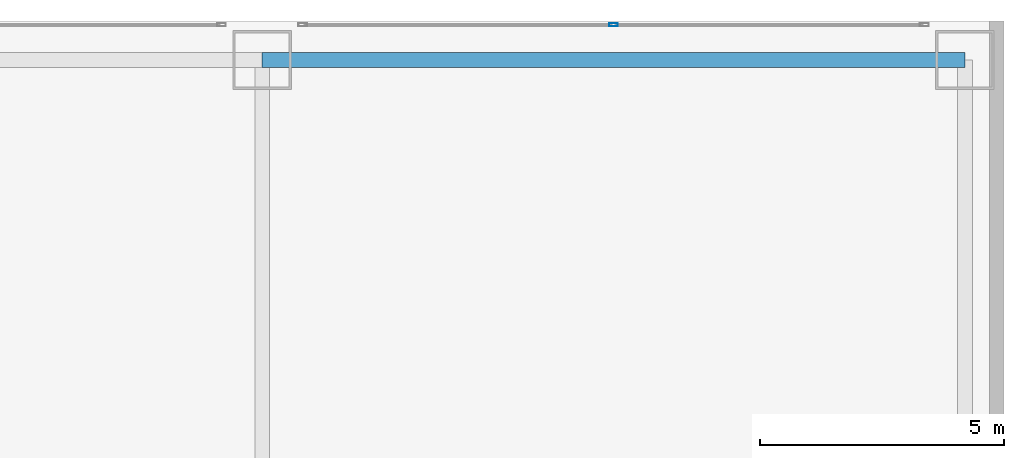
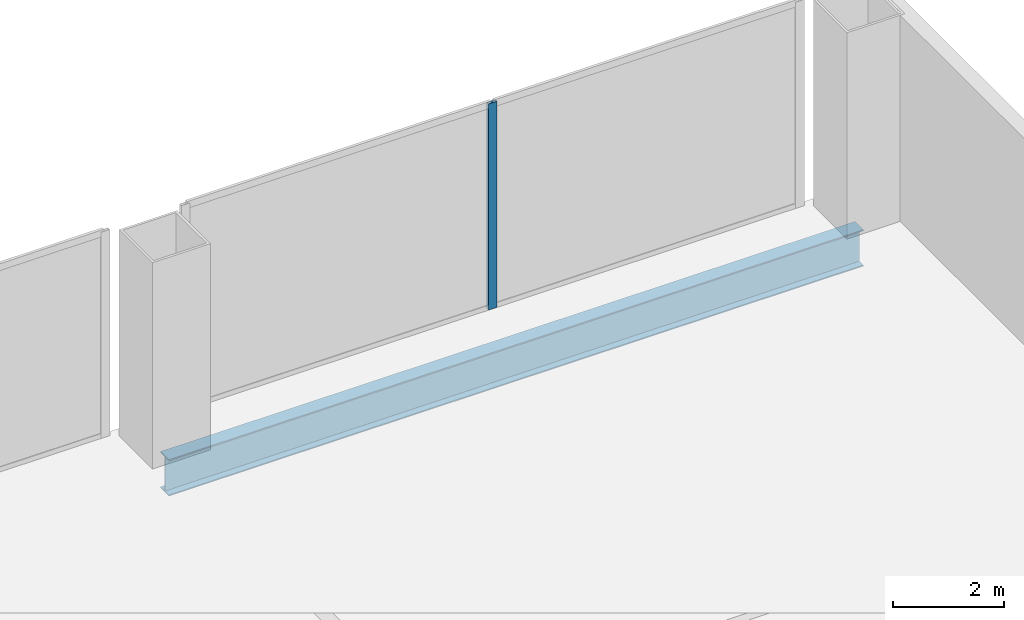
# One storey, part 29 of 40: 1 beam, 1 member, 1 element without a shape of its own.
"""IFC4 building model written with IfcOpenShell, lengths in metres."""

import ifcopenshell
import ifcopenshell.guid

model = None  # the IFC model being written
_history = None  # IfcOwnerHistory: only IFC2X3 demands one
_inside = {}  # id of a spatial element -> (the spatial element, [elements in it])
_under = {}  # id of a project, library or spatial element -> (it, [spatial elements below it])
_declared = {}  # id of a project -> (the project, [libraries it declares])
_typed = {}  # id of a type object -> (the type object, [elements of that type])
_made_of = {}  # id of a material, layer set ... -> (it, [elements and type objects made of it])


def new_model(schema):
    """Start an empty IFC model of exactly this schema.

    Asked for "IFC4X3", IfcOpenShell would pick the latest addendum, in which some entities
    have other attributes; the version numbers below select the first issue.
    IFC2X3 requires an IfcOwnerHistory on every rooted entity: one is made here for all.
    """
    global model, _history
    if schema == "IFC4X3":
        model = ifcopenshell.file(schema_version=(4, 3, 0, 0))
    else:
        model = ifcopenshell.file(schema=schema)
    _inside.clear()
    _under.clear()
    _declared.clear()
    _typed.clear()
    _made_of.clear()
    _history = None
    if model.schema == "IFC2X3":
        org = make("IfcOrganization", Name="unknown")
        user = make(
            "IfcPersonAndOrganization",
            ThePerson=make("IfcPerson", FamilyName="unknown"),
            TheOrganization=org,
        )
        app = make(
            "IfcApplication",
            ApplicationDeveloper=org,
            Version="unknown",
            ApplicationFullName="unknown",
            ApplicationIdentifier="unknown",
        )
        _history = make(
            "IfcOwnerHistory",
            OwningUser=user,
            OwningApplication=app,
            ChangeAction="ADDED",
            CreationDate=0,
        )
    return model


def make(cls, **values):
    """One entity of the class cls with the attributes given. An attribute that is None is left unset."""
    return model.create_entity(
        cls, **{name: value for name, value in values.items() if value is not None}
    )


def rooted(cls, **values):
    """An entity with a GlobalId (a new one), such as an element, a storey or a relation."""
    return make(cls, GlobalId=ifcopenshell.guid.new(), OwnerHistory=_history, **values)


def si_unit(unit_type, name, prefix=None):
    """IfcSIUnit, for example si_unit("LENGTHUNIT", "METRE", prefix="MILLI")."""
    return make("IfcSIUnit", UnitType=unit_type, Prefix=prefix, Name=name)


def assignment(units):
    """IfcUnitAssignment: the units of a project."""
    return None if units is None else make("IfcUnitAssignment", Units=units)


def point(xyz):
    """IfcCartesianPoint."""
    return None if xyz is None else make("IfcCartesianPoint", Coordinates=xyz)


def direction(xyz):
    """IfcDirection."""
    return None if xyz is None else make("IfcDirection", DirectionRatios=xyz)


def frame(location, z_axis=None, x_axis=None):
    """IfcAxis2Placement3D, a coordinate frame: its origin and axes. An axis left out is left unset."""
    return make(
        "IfcAxis2Placement3D",
        Location=point(location),
        Axis=direction(z_axis),
        RefDirection=direction(x_axis),
    )


def frame_2d(location, x_axis=None):
    """IfcAxis2Placement2D, a coordinate frame in the plane: its origin and x axis."""
    return make(
        "IfcAxis2Placement2D", Location=point(location), RefDirection=direction(x_axis)
    )


def origin():
    """The frame at (0, 0, 0) with its axes left unset."""
    return frame((0.0, 0.0, 0.0))


def origin_2d():
    """The frame at (0, 0) in the plane with its x axis left unset."""
    return frame_2d((0.0, 0.0))


def place(relative_to, where):
    """IfcLocalPlacement: puts the frame where relative to a parent placement (None: the world)."""
    return make(
        "IfcLocalPlacement", PlacementRelTo=relative_to, RelativePlacement=where
    )


def context(
    kind, dimensions, precision=None, world=None, true_north=None, identifier=None
):
    """IfcGeometricRepresentationContext, for example the 3D "Model" context."""
    return make(
        "IfcGeometricRepresentationContext",
        ContextIdentifier=identifier,
        ContextType=kind,
        CoordinateSpaceDimension=dimensions,
        Precision=precision,
        WorldCoordinateSystem=world,
        TrueNorth=true_north,
    )


def subcontext(parent, identifier, kind, view, scale=None):
    """IfcGeometricRepresentationSubContext, for example "Body" below "Model"."""
    return make(
        "IfcGeometricRepresentationSubContext",
        ContextIdentifier=identifier,
        ContextType=kind,
        ParentContext=parent,
        TargetScale=scale,
        TargetView=view,
    )


def project(units=None, contexts=None):
    """IfcProject with its units and contexts."""
    return rooted(
        "IfcProject",
        Name="project",
        RepresentationContexts=contexts,
        UnitsInContext=assignment(units),
    )


def spatial(cls, under=None, at=None, **own):
    """A site, building, storey or space (cls), placed at a placement, below another one or the project."""
    s = rooted(cls, ObjectPlacement=at, **own)
    if under is not None:
        _under.setdefault(under.id(), (under, []))[1].append(s)
    return s


def profile(cls, at=None, kind="AREA", **sizes):
    """A parametric profile (cls). Its sizes go by their IFC names, for example OverallWidth=200.0."""
    return make(cls, ProfileType=kind, Position=at, **sizes)


def hollow_rectangle(**sizes):
    """IfcRectangleHollowProfileDef."""
    return profile("IfcRectangleHollowProfileDef", **sizes)


def i_section(**sizes):
    """IfcIShapeProfileDef."""
    return profile("IfcIShapeProfileDef", **sizes)


def extrude(swept, where, along, depth):
    """IfcExtrudedAreaSolid: the profile swept, set in the frame where, extruded along a direction by depth."""
    return make(
        "IfcExtrudedAreaSolid",
        SweptArea=swept,
        Position=where,
        ExtrudedDirection=direction(along),
        Depth=depth,
    )


def shape(context_of_items, identifier, shape_type, items):
    """IfcShapeRepresentation: the items that make up one representation, for example the "Body"."""
    return make(
        "IfcShapeRepresentation",
        ContextOfItems=context_of_items,
        RepresentationIdentifier=identifier,
        RepresentationType=shape_type,
        Items=items,
    )


def source(mapping_origin, context_of_items, identifier, shape_type, items):
    """IfcRepresentationMap: a shape defined once, which mapped items show again and again."""
    return make(
        "IfcRepresentationMap",
        MappingOrigin=mapping_origin,
        MappedRepresentation=shape(context_of_items, identifier, shape_type, items),
    )


def transform(
    local_origin,
    x_axis=None,
    y_axis=None,
    z_axis=None,
    scale=None,
    scale2=None,
    scale3=None,
    uniform=True,
):
    """IfcCartesianTransformationOperator3D, or its non-uniform kind. x_axis, y_axis, z_axis: its Axis1, 2, 3."""
    if uniform:
        return make(
            "IfcCartesianTransformationOperator3D",
            Axis1=direction(x_axis),
            Axis2=direction(y_axis),
            LocalOrigin=point(local_origin),
            Scale=scale,
            Axis3=direction(z_axis),
        )
    return make(
        "IfcCartesianTransformationOperator3DnonUniform",
        Axis1=direction(x_axis),
        Axis2=direction(y_axis),
        LocalOrigin=point(local_origin),
        Scale=scale,
        Axis3=direction(z_axis),
        Scale2=scale2,
        Scale3=scale3,
    )


def mapped(mapping_source, mapping_target):
    """IfcMappedItem: shows the shape of a source again, moved by a transform."""
    return make(
        "IfcMappedItem", MappingSource=mapping_source, MappingTarget=mapping_target
    )


def material(Name=None, Category=None):
    """IfcMaterial."""
    return make("IfcMaterial", Name=Name, Category=Category)


def layer(
    of_material, thickness, ventilated=None, Name=None, Category=None, Priority=None
):
    """IfcMaterialLayer: one layer of a wall or slab, of a material (None: an air gap)."""
    return make(
        "IfcMaterialLayer",
        Material=of_material,
        LayerThickness=thickness,
        IsVentilated=ventilated,
        Name=Name,
        Category=Category,
        Priority=Priority,
    )


def layer_set(layers, Name=None):
    """IfcMaterialLayerSet."""
    return make("IfcMaterialLayerSet", MaterialLayers=layers, LayerSetName=Name)


def material_profile(
    of_material, cross_section, Name=None, Category=None, Priority=None
):
    """IfcMaterialProfile: a cross section and its material."""
    return make(
        "IfcMaterialProfile",
        Name=Name,
        Material=of_material,
        Profile=cross_section,
        Priority=Priority,
        Category=Category,
    )


def profile_set(profiles, Name=None, composite=None):
    """IfcMaterialProfileSet."""
    return make(
        "IfcMaterialProfileSet",
        Name=Name,
        MaterialProfiles=profiles,
        CompositeProfile=composite,
    )


def made_of(thing, what):
    """Note that an element or type object is made of a material, layer set ...; save() writes the relation."""
    if what is not None:
        _made_of.setdefault(what.id(), (what, []))[1].append(thing)
    return thing


def type_object(cls, material=None, **own):
    """A type object (cls), such as IfcWallType, which elements share."""
    return made_of(rooted(cls, **own), material)


def element(
    cls,
    number,
    at=None,
    inside=None,
    cuts=None,
    type_object=None,
    material=None,
    context=None,
    identifier="Body",
    shape_type=None,
    held_by="IfcProductDefinitionShape",
    body=None,
    shapes=None,
    **own,
):
    """One element of the class cls, such as IfcWall. Its Tag is "e" and its number.

    at: its placement. inside: the storey or other place that contains it. cuts: it is an
    opening in that element (IfcRelVoidsElement). A single representation is given by context,
    identifier, shape_type and body (its items); several are given by shapes. held_by: the class
    of the entity that holds the representations. save() writes the other relations.
    """
    e = rooted(cls, Tag="e%d" % number, ObjectPlacement=at, **own)
    if body is not None:
        shapes = [shape(context, identifier, shape_type, body)]
    if shapes is not None:
        e.Representation = make(held_by, Representations=shapes)
    if inside is not None:
        _inside.setdefault(inside.id(), (inside, []))[1].append(e)
    if cuts is not None:
        rooted(
            "IfcRelVoidsElement", RelatingBuildingElement=cuts, RelatedOpeningElement=e
        )
    if type_object is not None:
        _typed.setdefault(type_object.id(), (type_object, []))[1].append(e)
    return made_of(e, material)


def aggregate(whole, parts):
    """IfcRelAggregates: a whole, such as a stair, and the parts it consists of."""
    return rooted("IfcRelAggregates", RelatingObject=whole, RelatedObjects=parts)


def save(model, path):
    """Write the relations noted so far, then the file.

    IfcRelAggregates (storeys below a building ...), IfcRelContainedInSpatialStructure (elements
    in a storey), IfcRelDefinesByType, IfcRelAssociatesMaterial and IfcRelDeclares: one each for
    every whole, place, type object, material and project.
    """
    for whole, parts in _under.values():
        aggregate(whole, parts)
    for where, things in _inside.values():
        rooted(
            "IfcRelContainedInSpatialStructure",
            RelatedElements=things,
            RelatingStructure=where,
        )
    for kind, things in _typed.values():
        rooted("IfcRelDefinesByType", RelatedObjects=things, RelatingType=kind)
    for what, things in _made_of.values():
        rooted("IfcRelAssociatesMaterial", RelatedObjects=things, RelatingMaterial=what)
    for by, libraries in _declared.values():
        rooted("IfcRelDeclares", RelatingContext=by, RelatedDefinitions=libraries)
    model.write(path)


model = new_model("IFC4")

# Units and contexts
model_context = context("Model", 3, precision=1e-05, world=origin(), true_north=direction((0.0, 1.0)))
body_context = subcontext(model_context, "Body", "Model", "MODEL_VIEW")
ifc_project = project(units=[si_unit("LENGTHUNIT", "METRE"), si_unit("AREAUNIT", "SQUARE_METRE"), si_unit("VOLUMEUNIT", "CUBIC_METRE"), si_unit("PLANEANGLEUNIT", "RADIAN"), si_unit("MASSUNIT", "GRAM", prefix="KILO"), si_unit("THERMODYNAMICTEMPERATUREUNIT", "KELVIN"), si_unit("POWERUNIT", "WATT")], contexts=[model_context])

# Site, building, storey
site_placement = place(None, origin())
site = spatial("IfcSite", under=ifc_project, at=site_placement, CompositionType="ELEMENT")
building_placement = place(site_placement, origin())
building = spatial("IfcBuilding", under=site, at=building_placement, Name="Yunzhuo Pagoda Commons", CompositionType="ELEMENT")
storey_placement = place(building_placement, frame((0.0, 0.0, 14.39990234375)))
storey = spatial("IfcBuildingStorey", under=building, at=storey_placement, Name="L04", CompositionType="ELEMENT", Elevation=14.39990234375)

# Beam
ifc_material_1 = material(Name="Structural steel Q355B", Category="steel")
ifc_material_profile_1 = material_profile(ifc_material_1, i_section(OverallWidth=0.300048828125, OverallDepth=0.800048828125, WebThickness=0.013916015625, FlangeThickness=0.02587890625, at=origin_2d()), Name="Structural steel Q355B")
ifc_profile_set_1 = profile_set([ifc_material_profile_1], Name="Structural steel Q355B")
beam_type = type_object("IfcBeamType", Name="B-PD2 Beam HN 800x300x14x26", PredefinedType="BEAM", material=ifc_profile_set_1)
shared_shape_1 = source(origin(), body_context, "Body", "SweptSolid", [
    extrude(i_section(OverallWidth=0.300048828125, OverallDepth=0.800048828125, WebThickness=0.013916015625, FlangeThickness=0.02587890625, at=origin_2d()), origin(), (0.0, 0.0, 1.0), 14.39990234375),
])
beam_placement = place(storey_placement, frame((76.800048828125, 81.199951171875, -0.679931640625), z_axis=(1.0, 0.0, 0.0), x_axis=(0.0, 1.0, 0.0)))
element("IfcBeam", 1, at=beam_placement, inside=storey, type_object=beam_type, Name="L04 podium girder EW 5.5", PredefinedType="BEAM", context=body_context, shape_type="MappedRepresentation", body=[
    mapped(shared_shape_1, transform((0.0, 0.0, 0.0), scale=1.0)),
])

# Curtain wall, member
ifc_material_2 = material(Name="Anodized aluminium 6063-T6", Category="aluminium")
ifc_layer = layer(ifc_material_2, 0.179931640625)
ifc_layer_set = layer_set([ifc_layer], Name="Anodized aluminium 6063-T6")
curtain_wall_type = type_object("IfcCurtainWallType", Name="CW-POD Waterfront Podium Curtain Wall", PredefinedType="NOTDEFINED", material=ifc_layer_set)
curtain_wall_placement = place(storey_placement, origin())
curtain_wall = element("IfcCurtainWall", 2, at=curtain_wall_placement, inside=storey, type_object=curtain_wall_type, Name="L04 curtain wall CW-L04-N5", PredefinedType="NOTDEFINED")
ifc_material_profile_2 = material_profile(ifc_material_2, hollow_rectangle(XDim=0.06494140625, YDim=0.179931640625, WallThickness=0.00390625, at=origin_2d()), Name="Anodized aluminium 6063-T6")
ifc_profile_set_2 = profile_set([ifc_material_profile_2], Name="Anodized aluminium 6063-T6")
member_type = type_object("IfcMemberType", Name="CW-POD-M Mullion RHS 180x65x4", PredefinedType="MULLION", material=ifc_profile_set_2)
shared_shape_2 = source(origin(), body_context, "Body", "SweptSolid", [
    extrude(hollow_rectangle(XDim=0.06494140625, YDim=0.179931640625, WallThickness=0.00390625, at=origin_2d()), origin(), (0.0, 0.0, 1.0), 4.52001953125),
])
member_placement = place(storey_placement, frame((84.0, 81.919921875, 0.0), z_axis=(0.0, 0.0, 1.0), x_axis=(0.0, 1.0, 0.0)))
member = element("IfcMember", 3, at=member_placement, type_object=member_type, Name="CW mullion 2", PredefinedType="MULLION", context=body_context, shape_type="MappedRepresentation", body=[
    mapped(shared_shape_2, transform((0.0, 0.0, 0.0), scale=1.0)),
])
aggregate(curtain_wall, [member])

save(model, "model.ifc")
